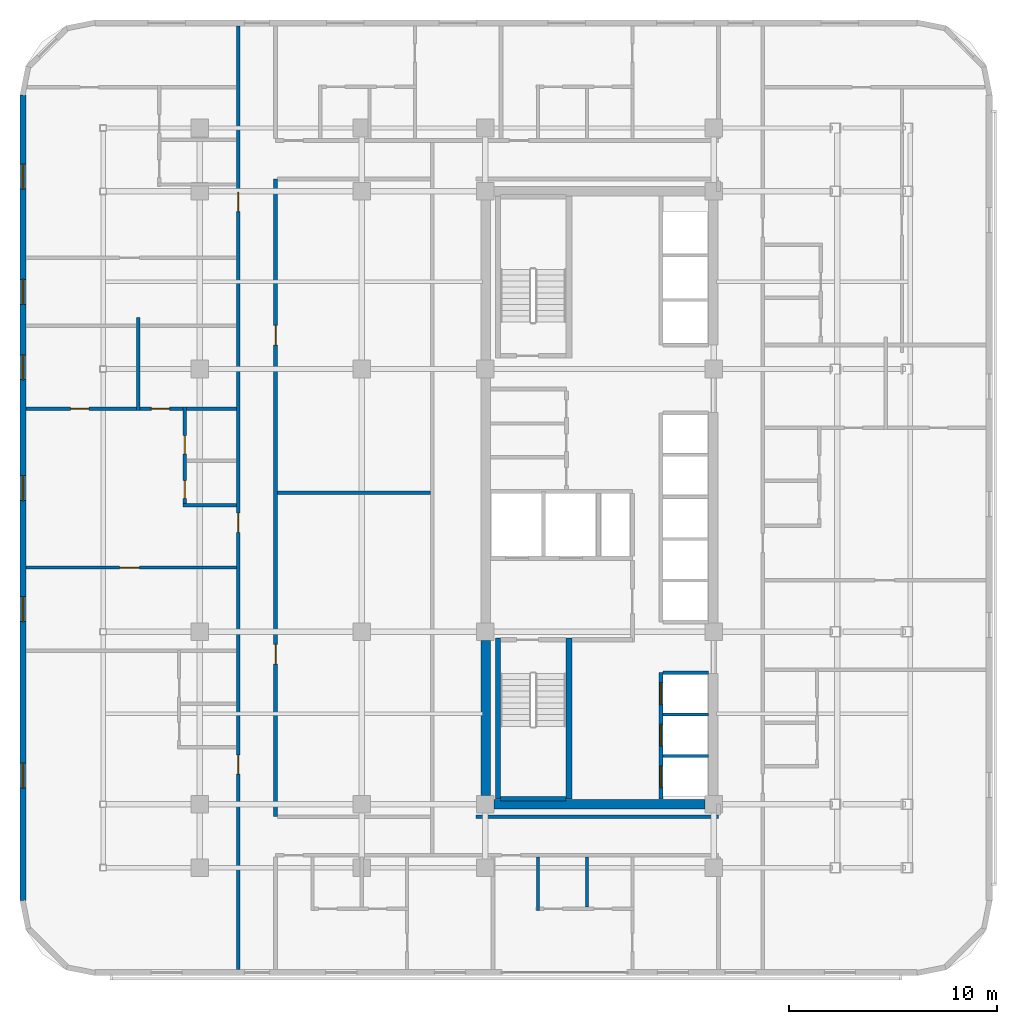
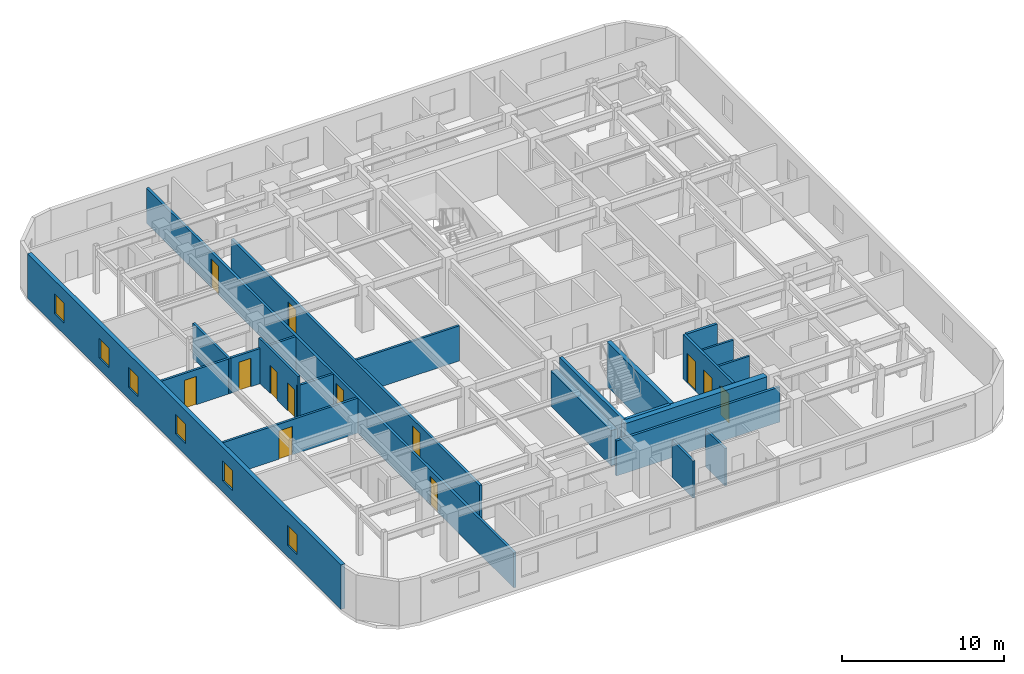
# One storey, part 7 of 15: 21 walls, 13 doors, 6 windows, 19 openings.
"""IFC4 building model written with IfcOpenShell, lengths in metres."""

from ifc_helpers import new_model, si_unit, direction, frame, frame_2d, origin, place, context, subcontext, project, spatial, rectangle, extrude, material, layer, layer_set, type_object, element, fill, save


model = new_model("IFC4")

# Units and contexts
model_context = context("Model", 3, precision=1e-05, world=origin(), true_north=direction((0.0, 1.0)))
body_context = subcontext(model_context, "Body", "Model", "MODEL_VIEW")
ifc_project = project(units=[si_unit("LENGTHUNIT", "METRE"), si_unit("AREAUNIT", "SQUARE_METRE"), si_unit("VOLUMEUNIT", "CUBIC_METRE"), si_unit("PLANEANGLEUNIT", "RADIAN"), si_unit("MASSUNIT", "GRAM", prefix="KILO")], contexts=[model_context])

# Site, building, storey
site_placement = place(None, origin())
site = spatial("IfcSite", under=ifc_project, at=site_placement, CompositionType="ELEMENT")
building_placement = place(site_placement, origin())
building = spatial("IfcBuilding", under=site, at=building_placement, Name="Ochreholt Gables", CompositionType="ELEMENT")
storey_placement = place(building_placement, frame((0.0, 0.0, 31.199951171875)))
storey = spatial("IfcBuildingStorey", under=building, at=storey_placement, Name="L07", CompositionType="ELEMENT", Elevation=31.199951171875)

# Walls
ifc_material_1 = material(Name="Concrete 60 MPa", Category="concrete")
ifc_layer_1 = layer(ifc_material_1, 0.449951171875, Name="Concrete 60 MPa")
ifc_layer_set_1 = layer_set([ifc_layer_1], Name="Concrete 60 MPa")
wall_type_1 = type_object("IfcWallType", Name="WALL-CSW-450", PredefinedType="SHEAR", material=ifc_layer_set_1)
wall_1_placement = place(storey_placement, frame((24.22509765625, 9.675048828125, 0.0), z_axis=(0.0, 0.0, 1.0), x_axis=(0.0, 1.0, 0.0)))
element("IfcWall", 1, at=wall_1_placement, inside=storey, type_object=wall_type_1, Name="L07 Core West Shear Wall WS", PredefinedType="SHEAR", context=body_context, shape_type="SweptSolid", body=[
    extrude(rectangle(XDim=7.449951171875, YDim=0.449951171875, at=frame_2d((3.72509765625, 0.0))), origin(), (0.0, 0.0, 1.0), 2.6669921875),
])
wall_2_placement = place(storey_placement, frame((24.625, 9.25, 0.0), z_axis=(0.0, 0.0, 1.0), x_axis=(1.0, 0.0, 0.0)))
element("IfcWall", 2, at=wall_2_placement, inside=storey, type_object=wall_type_1, Name="L07 Core South Shear Wall", PredefinedType="SHEAR", context=body_context, shape_type="SweptSolid", body=[
    extrude(rectangle(XDim=10.14990234375, YDim=0.449951171875, at=frame_2d((5.074951171875, 0.0))), origin(), (0.0, 0.0, 1.0), 3.360107421875),
])

# Wall, openings, windows
ifc_material_2 = material(Name="Precast concrete 40 MPa", Category="concrete")
ifc_layer_2 = layer(ifc_material_2, 0.2900390625, Name="Precast concrete 40 MPa")
ifc_layer_set_2 = layer_set([ifc_layer_2], Name="Precast concrete 40 MPa")
wall_type_2 = type_object("IfcWallType", Name="WALL-EXT-290", PredefinedType="SOLIDWALL", material=ifc_layer_set_2)
wall_3_placement = place(storey_placement, frame((1.945068359375, 43.3798828125, 0.0), z_axis=(0.0, 0.0, 1.0), x_axis=(0.0, -1.0, 0.0)))
wall_3 = element("IfcWall", 3, at=wall_3_placement, inside=storey, type_object=wall_type_2, Name="L07 West Exterior Wall", PredefinedType="SOLIDWALL", context=body_context, shape_type="SweptSolid", body=[
    extrude(rectangle(XDim=38.759765625, YDim=0.2900390625, at=frame_2d((19.3798828125, 0.0))), origin(), (0.0, 0.0, 1.0), 3.360107421875),
])
opening_1_placement = place(wall_3_placement, frame((32.14990234375, 0.0, 0.85009765625)))
opening_1 = element("IfcOpeningElement", 4, at=opening_1_placement, cuts=wall_3, Name="Opening WN-3", PredefinedType="OPENING", context=body_context, shape_type="SweptSolid", body=[
    extrude(rectangle(XDim=1.199951171875, YDim=1.5, at=frame_2d((0.60009765625, 0.75))), frame((0.0, 0.155029296875, 0.0), z_axis=(0.0, -1.0, 0.0), x_axis=(1.0, 0.0, 0.0)), (0.0, 0.0, 1.0), 0.31005859375),
])
opening_2_placement = place(wall_3_placement, frame((24.138427734375, 0.0, 0.85009765625)))
opening_2 = element("IfcOpeningElement", 5, at=opening_2_placement, cuts=wall_3, Name="Opening WN-3", PredefinedType="OPENING", context=body_context, shape_type="SweptSolid", body=[
    extrude(rectangle(XDim=1.199951171875, YDim=1.5, at=frame_2d((0.60009765625, 0.75))), frame((0.0, 0.155029296875, 0.0), z_axis=(0.0, -1.0, 0.0), x_axis=(1.0, 0.0, 0.0)), (0.0, 0.0, 1.0), 0.31005859375),
])
opening_3_placement = place(wall_3_placement, frame((18.313232421875, 0.0, 0.85009765625)))
opening_3 = element("IfcOpeningElement", 6, at=opening_3_placement, cuts=wall_3, Name="Opening WN-3", PredefinedType="OPENING", context=body_context, shape_type="SweptSolid", body=[
    extrude(rectangle(XDim=1.199951171875, YDim=1.5, at=frame_2d((0.60009765625, 0.75))), frame((0.0, 0.155029296875, 0.0), z_axis=(0.0, -1.0, 0.0), x_axis=(1.0, 0.0, 0.0)), (0.0, 0.0, 1.0), 0.31005859375),
])
opening_4_placement = place(wall_3_placement, frame((12.4951171875, 0.0, 0.85009765625)))
opening_4 = element("IfcOpeningElement", 7, at=opening_4_placement, cuts=wall_3, Name="Opening WN-3", PredefinedType="OPENING", context=body_context, shape_type="SweptSolid", body=[
    extrude(rectangle(XDim=1.199951171875, YDim=1.5, at=frame_2d((0.60009765625, 0.75))), frame((0.0, 0.155029296875, 0.0), z_axis=(0.0, -1.0, 0.0), x_axis=(1.0, 0.0, 0.0)), (0.0, 0.0, 1.0), 0.31005859375),
])
opening_5_placement = place(wall_3_placement, frame((8.864990234375, 0.0, 0.85009765625)))
opening_5 = element("IfcOpeningElement", 8, at=opening_5_placement, cuts=wall_3, Name="Opening WN-3", PredefinedType="OPENING", context=body_context, shape_type="SweptSolid", body=[
    extrude(rectangle(XDim=1.199951171875, YDim=1.5, at=frame_2d((0.60009765625, 0.75))), frame((0.0, 0.155029296875, 0.0), z_axis=(0.0, -1.0, 0.0), x_axis=(1.0, 0.0, 0.0)), (0.0, 0.0, 1.0), 0.31005859375),
])
opening_6_placement = place(wall_3_placement, frame((3.31494140625, 0.0, 0.85009765625)))
opening_6 = element("IfcOpeningElement", 9, at=opening_6_placement, cuts=wall_3, Name="Opening WN-3", PredefinedType="OPENING", context=body_context, shape_type="SweptSolid", body=[
    extrude(rectangle(XDim=1.199951171875, YDim=1.5, at=frame_2d((0.60009765625, 0.75))), frame((0.0, 0.155029296875, 0.0), z_axis=(0.0, -1.0, 0.0), x_axis=(1.0, 0.0, 0.0)), (0.0, 0.0, 1.0), 0.31005859375),
])
ifc_material_3 = material(Name="Triple-Glazed Thermally Broken Aluminium Window", Category="aluminium")
window_type = type_object("IfcWindowType", Name="WIN-RES-1200", PartitioningType="SINGLE_PANEL", PredefinedType="WINDOW", material=ifc_material_3)
window_1_placement = place(opening_1_placement, origin())
window_1 = element("IfcWindow", 10, at=window_1_placement, inside=storey, type_object=window_type, Name="L07 Window W-EXT-W-L07-1", OverallHeight=1.5, OverallWidth=1.199951171875, PartitioningType="SINGLE_PANEL", PredefinedType="WINDOW", context=body_context, shape_type="SweptSolid", body=[
    extrude(rectangle(XDim=1.199951171875, YDim=1.5, at=frame_2d((0.60009765625, 0.75))), frame((0.0, 0.030029296875, 0.0), z_axis=(0.0, -1.0, 0.0), x_axis=(1.0, 0.0, 0.0)), (0.0, 0.0, 1.0), 0.06005859375),
])
fill(opening_1, window_1)
window_2_placement = place(opening_2_placement, origin())
window_2 = element("IfcWindow", 11, at=window_2_placement, inside=storey, type_object=window_type, Name="L07 Window W-EXT-W-L07-2", OverallHeight=1.5, OverallWidth=1.199951171875, PartitioningType="SINGLE_PANEL", PredefinedType="WINDOW", context=body_context, shape_type="SweptSolid", body=[
    extrude(rectangle(XDim=1.199951171875, YDim=1.5, at=frame_2d((0.60009765625, 0.75))), frame((0.0, 0.030029296875, 0.0), z_axis=(0.0, -1.0, 0.0), x_axis=(1.0, 0.0, 0.0)), (0.0, 0.0, 1.0), 0.06005859375),
])
fill(opening_2, window_2)
window_3_placement = place(opening_3_placement, origin())
window_3 = element("IfcWindow", 12, at=window_3_placement, inside=storey, type_object=window_type, Name="L07 Window W-EXT-W-L07-3", OverallHeight=1.5, OverallWidth=1.199951171875, PartitioningType="SINGLE_PANEL", PredefinedType="WINDOW", context=body_context, shape_type="SweptSolid", body=[
    extrude(rectangle(XDim=1.199951171875, YDim=1.5, at=frame_2d((0.60009765625, 0.75))), frame((0.0, 0.030029296875, 0.0), z_axis=(0.0, -1.0, 0.0), x_axis=(1.0, 0.0, 0.0)), (0.0, 0.0, 1.0), 0.06005859375),
])
fill(opening_3, window_3)
window_4_placement = place(opening_4_placement, origin())
window_4 = element("IfcWindow", 13, at=window_4_placement, inside=storey, type_object=window_type, Name="L07 Window W-EXT-W-L07-4", OverallHeight=1.5, OverallWidth=1.199951171875, PartitioningType="SINGLE_PANEL", PredefinedType="WINDOW", context=body_context, shape_type="SweptSolid", body=[
    extrude(rectangle(XDim=1.199951171875, YDim=1.5, at=frame_2d((0.60009765625, 0.75))), frame((0.0, 0.030029296875, 0.0), z_axis=(0.0, -1.0, 0.0), x_axis=(1.0, 0.0, 0.0)), (0.0, 0.0, 1.0), 0.06005859375),
])
fill(opening_4, window_4)
window_5_placement = place(opening_5_placement, origin())
window_5 = element("IfcWindow", 14, at=window_5_placement, inside=storey, type_object=window_type, Name="L07 Window W-EXT-W-L07-5", OverallHeight=1.5, OverallWidth=1.199951171875, PartitioningType="SINGLE_PANEL", PredefinedType="WINDOW", context=body_context, shape_type="SweptSolid", body=[
    extrude(rectangle(XDim=1.199951171875, YDim=1.5, at=frame_2d((0.60009765625, 0.75))), frame((0.0, 0.030029296875, 0.0), z_axis=(0.0, -1.0, 0.0), x_axis=(1.0, 0.0, 0.0)), (0.0, 0.0, 1.0), 0.06005859375),
])
fill(opening_5, window_5)
window_6_placement = place(opening_6_placement, origin())
window_6 = element("IfcWindow", 15, at=window_6_placement, inside=storey, type_object=window_type, Name="L07 Window W-EXT-W-L07-6", OverallHeight=1.5, OverallWidth=1.199951171875, PartitioningType="SINGLE_PANEL", PredefinedType="WINDOW", context=body_context, shape_type="SweptSolid", body=[
    extrude(rectangle(XDim=1.199951171875, YDim=1.5, at=frame_2d((0.60009765625, 0.75))), frame((0.0, 0.030029296875, 0.0), z_axis=(0.0, -1.0, 0.0), x_axis=(1.0, 0.0, 0.0)), (0.0, 0.0, 1.0), 0.06005859375),
])
fill(opening_6, window_6)

# Wall
ifc_material_4 = material(Name="Fire-Rated Gypsum Acoustic Partition", Category="gypsum")
ifc_layer_3 = layer(ifc_material_4, 0.179931640625, Name="Fire-Rated Gypsum Acoustic Partition")
ifc_layer_set_3 = layer_set([ifc_layer_3], Name="Fire-Rated Gypsum Acoustic Partition")
wall_type_3 = type_object("IfcWallType", Name="WALL-INT-CR180", PredefinedType="STANDARD", material=ifc_layer_set_3)
wall_4_placement = place(storey_placement, frame((23.75, 8.64990234375, 0.0), z_axis=(0.0, 0.0, 1.0), x_axis=(1.0, 0.0, 0.0)))
element("IfcWall", 16, at=wall_4_placement, inside=storey, type_object=wall_type_3, Name="L07 Interior Wall WI-C1S2-L07", PredefinedType="STANDARD", context=body_context, shape_type="SweptSolid", body=[
    extrude(rectangle(XDim=11.669921875, YDim=0.179931640625, at=frame_2d((5.8349609375, 0.0))), origin(), (0.0, 0.0, 1.0), 2.649169921875),
])

# Wall, openings, doors
wall_5_placement = place(storey_placement, frame((12.300048828125, 1.2900390625, 0.0), z_axis=(0.0, 0.0, 1.0), x_axis=(0.0, 1.0, 0.0)))
wall_5 = element("IfcWall", 17, at=wall_5_placement, inside=storey, type_object=wall_type_3, Name="L07 Interior Wall WI-C1WW-L07", PredefinedType="STANDARD", context=body_context, shape_type="SweptSolid", body=[
    extrude(rectangle(XDim=45.419921875, YDim=0.179931640625, at=frame_2d((22.7099609375, 0.0))), origin(), (0.0, 0.0, 1.0), 2.649169921875),
])
opening_7_placement = place(wall_5_placement, frame((9.409912109375, 0.0, 0.0)))
opening_7 = element("IfcOpeningElement", 18, at=opening_7_placement, cuts=wall_5, Name="Opening D-UN1", PredefinedType="OPENING", context=body_context, shape_type="SweptSolid", body=[
    extrude(rectangle(XDim=0.919921875, YDim=2.14990234375, at=frame_2d((0.4599609375, 1.074951171875))), frame((0.0, 0.099853515625, 0.0), z_axis=(0.0, -1.0, 0.0), x_axis=(1.0, 0.0, 0.0)), (0.0, 0.0, 1.0), 0.199951171875),
])
opening_8_placement = place(wall_5_placement, frame((21.050048828125, 0.0, 0.0)))
opening_8 = element("IfcOpeningElement", 19, at=opening_8_placement, cuts=wall_5, Name="Opening D-UN1", PredefinedType="OPENING", context=body_context, shape_type="SweptSolid", body=[
    extrude(rectangle(XDim=0.919921875, YDim=2.14990234375, at=frame_2d((0.4599609375, 1.074951171875))), frame((0.0, 0.099853515625, 0.0), z_axis=(0.0, -1.0, 0.0), x_axis=(1.0, 0.0, 0.0)), (0.0, 0.0, 1.0), 0.199951171875),
])
opening_9_placement = place(wall_5_placement, frame((36.491455078125, 0.0, 0.0)))
opening_9 = element("IfcOpeningElement", 20, at=opening_9_placement, cuts=wall_5, Name="Opening D-UN1", PredefinedType="OPENING", context=body_context, shape_type="SweptSolid", body=[
    extrude(rectangle(XDim=0.919921875, YDim=2.14990234375, at=frame_2d((0.4599609375, 1.074951171875))), frame((0.0, 0.099853515625, 0.0), z_axis=(0.0, -1.0, 0.0), x_axis=(1.0, 0.0, 0.0)), (0.0, 0.0, 1.0), 0.199951171875),
])
ifc_material_5 = material(Name="Engineered Oak Timber", Category="wood")
door_type_1 = type_object("IfcDoorType", Name="DR-INT-UNT920", OperationType="NOTDEFINED", PredefinedType="DOOR", material=ifc_material_5)
door_1_placement = place(opening_7_placement, origin())
door_1 = element("IfcDoor", 21, at=door_1_placement, inside=storey, type_object=door_type_1, Name="L07 Door D-U-L07W1-ENT", OperationType="SINGLE_SWING_LEFT", OverallHeight=2.14990234375, OverallWidth=0.919921875, PredefinedType="DOOR", context=body_context, shape_type="SweptSolid", body=[
    extrude(rectangle(XDim=0.919921875, YDim=2.14990234375, at=frame_2d((0.4599609375, 1.074951171875))), frame((0.0, 0.02490234375, 0.0), z_axis=(0.0, -1.0, 0.0), x_axis=(1.0, 0.0, 0.0)), (0.0, 0.0, 1.0), 0.050048828125),
])
fill(opening_7, door_1)
door_2_placement = place(opening_8_placement, origin())
door_2 = element("IfcDoor", 22, at=door_2_placement, inside=storey, type_object=door_type_1, Name="L07 Door D-U-L07W2-ENT", OperationType="SINGLE_SWING_RIGHT", OverallHeight=2.14990234375, OverallWidth=0.919921875, PredefinedType="DOOR", context=body_context, shape_type="SweptSolid", body=[
    extrude(rectangle(XDim=0.919921875, YDim=2.14990234375, at=frame_2d((0.4599609375, 1.074951171875))), frame((0.0, 0.02490234375, 0.0), z_axis=(0.0, -1.0, 0.0), x_axis=(1.0, 0.0, 0.0)), (0.0, 0.0, 1.0), 0.050048828125),
])
fill(opening_8, door_2)
door_3_placement = place(opening_9_placement, origin())
door_3 = element("IfcDoor", 23, at=door_3_placement, inside=storey, type_object=door_type_1, Name="L07 Door D-U-L07W3-ENT", OperationType="SINGLE_SWING_LEFT", OverallHeight=2.14990234375, OverallWidth=0.919921875, PredefinedType="DOOR", context=body_context, shape_type="SweptSolid", body=[
    extrude(rectangle(XDim=0.919921875, YDim=2.14990234375, at=frame_2d((0.4599609375, 1.074951171875))), frame((0.0, 0.02490234375, 0.0), z_axis=(0.0, -1.0, 0.0), x_axis=(1.0, 0.0, 0.0)), (0.0, 0.0, 1.0), 0.050048828125),
])
fill(opening_9, door_3)

wall_6_placement = place(storey_placement, frame((14.10009765625, 8.64990234375, 0.0), z_axis=(0.0, 0.0, 1.0), x_axis=(0.0, 1.0, 0.0)))
wall_6 = element("IfcWall", 24, at=wall_6_placement, inside=storey, type_object=wall_type_3, Name="L07 Interior Wall WI-C1WE-L07", PredefinedType="STANDARD", context=body_context, shape_type="SweptSolid", body=[
    extrude(rectangle(XDim=30.7001953125, YDim=0.179931640625, at=frame_2d((15.35009765625, 0.0))), origin(), (0.0, 0.0, 1.0), 2.649169921875),
])
opening_10_placement = place(wall_6_placement, frame((7.35009765625, 0.0, 0.0)))
opening_10 = element("IfcOpeningElement", 25, at=opening_10_placement, cuts=wall_6, Name="Opening D-GN1", PredefinedType="OPENING", context=body_context, shape_type="SweptSolid", body=[
    extrude(rectangle(XDim=0.949951171875, YDim=2.14990234375, at=frame_2d((0.47509765625, 1.074951171875))), frame((0.0, 0.099853515625, 0.0), z_axis=(0.0, -1.0, 0.0), x_axis=(1.0, 0.0, 0.0)), (0.0, 0.0, 1.0), 0.199951171875),
])
opening_11_placement = place(wall_6_placement, frame((22.699951171875, 0.0, 0.0)))
opening_11 = element("IfcOpeningElement", 26, at=opening_11_placement, cuts=wall_6, Name="Opening D-GN1", PredefinedType="OPENING", context=body_context, shape_type="SweptSolid", body=[
    extrude(rectangle(XDim=0.949951171875, YDim=2.14990234375, at=frame_2d((0.47509765625, 1.074951171875))), frame((0.0, 0.099853515625, 0.0), z_axis=(0.0, -1.0, 0.0), x_axis=(1.0, 0.0, 0.0)), (0.0, 0.0, 1.0), 0.199951171875),
])
door_type_2 = type_object("IfcDoorType", Name="DR-INT-GEN950", OperationType="NOTDEFINED", PredefinedType="DOOR", material=ifc_material_5)
door_4_placement = place(opening_10_placement, origin())
door_4 = element("IfcDoor", 27, at=door_4_placement, inside=storey, type_object=door_type_2, Name="L07 Door D-C1IW1-L07", OperationType="SINGLE_SWING_LEFT", OverallHeight=2.14990234375, OverallWidth=0.949951171875, PredefinedType="DOOR", context=body_context, shape_type="SweptSolid", body=[
    extrude(rectangle(XDim=0.949951171875, YDim=2.14990234375, at=frame_2d((0.47509765625, 1.074951171875))), frame((0.0, 0.02490234375, 0.0), z_axis=(0.0, -1.0, 0.0), x_axis=(1.0, 0.0, 0.0)), (0.0, 0.0, 1.0), 0.050048828125),
])
fill(opening_10, door_4)
door_5_placement = place(opening_11_placement, origin())
door_5 = element("IfcDoor", 28, at=door_5_placement, inside=storey, type_object=door_type_2, Name="L07 Door D-C1IW2-L07", OperationType="SINGLE_SWING_RIGHT", OverallHeight=2.14990234375, OverallWidth=0.949951171875, PredefinedType="DOOR", context=body_context, shape_type="SweptSolid", body=[
    extrude(rectangle(XDim=0.949951171875, YDim=2.14990234375, at=frame_2d((0.47509765625, 1.074951171875))), frame((0.0, 0.02490234375, 0.0), z_axis=(0.0, -1.0, 0.0), x_axis=(1.0, 0.0, 0.0)), (0.0, 0.0, 1.0), 0.050048828125),
])
fill(opening_11, door_5)

# Wall
ifc_material_6 = material(Name="Moisture-Resistant Plumbing Chase Wall", Category="gypsum")
ifc_layer_4 = layer(ifc_material_6, 0.159912109375, Name="Moisture-Resistant Plumbing Chase Wall")
ifc_layer_set_4 = layer_set([ifc_layer_4], Name="Moisture-Resistant Plumbing Chase Wall")
wall_type_4 = type_object("IfcWallType", Name="WALL-INT-PL160", PredefinedType="PLUMBINGWALL", material=ifc_layer_set_4)
wall_7_placement = place(storey_placement, frame((9.64990234375, 23.639892578125, 0.0), z_axis=(0.0, 0.0, 1.0), x_axis=(1.0, 0.0, 0.0)))
element("IfcWall", 29, at=wall_7_placement, inside=storey, type_object=wall_type_4, Name="L07 Interior Wall WU-L07W2-FYS", PredefinedType="PLUMBINGWALL", context=body_context, shape_type="SweptSolid", body=[
    extrude(rectangle(XDim=2.56005859375, YDim=0.159912109375, at=frame_2d((1.280029296875, 0.0))), origin(), (0.0, 0.0, 1.0), 2.649169921875),
])

# Wall, openings, doors
wall_8_placement = place(storey_placement, frame((9.72998046875, 23.550048828125, 0.0), z_axis=(0.0, 0.0, 1.0), x_axis=(0.0, 1.0, 0.0)))
wall_8 = element("IfcWall", 30, at=wall_8_placement, inside=storey, type_object=wall_type_4, Name="L07 Interior Wall WU-L07W2-WX", PredefinedType="PLUMBINGWALL", context=body_context, shape_type="SweptSolid", body=[
    extrude(rectangle(XDim=4.829833984375, YDim=0.159912109375, at=frame_2d((2.4150390625, 0.0))), origin(), (0.0, 0.0, 1.0), 3.360107421875),
])
opening_12_placement = place(wall_8_placement, frame((0.419921875, 0.0, 0.0)))
opening_12 = element("IfcOpeningElement", 31, at=opening_12_placement, cuts=wall_8, Name="Opening D-BT1", PredefinedType="OPENING", context=body_context, shape_type="SweptSolid", body=[
    extrude(rectangle(XDim=0.860107421875, YDim=2.1201171875, at=frame_2d((0.43017578125, 1.06005859375))), frame((0.0, 0.08984375, 0.0), z_axis=(0.0, -1.0, 0.0), x_axis=(1.0, 0.0, 0.0)), (0.0, 0.0, 1.0), 0.179931640625),
])
opening_13_placement = place(wall_8_placement, frame((2.55908203125, 0.0, 0.0)))
opening_13 = element("IfcOpeningElement", 32, at=opening_13_placement, cuts=wall_8, Name="Opening D-GN2", PredefinedType="OPENING", context=body_context, shape_type="SweptSolid", body=[
    extrude(rectangle(XDim=0.8798828125, YDim=2.1201171875, at=frame_2d((0.43994140625, 1.06005859375))), frame((0.0, 0.08984375, 0.0), z_axis=(0.0, -1.0, 0.0), x_axis=(1.0, 0.0, 0.0)), (0.0, 0.0, 1.0), 0.179931640625),
])
door_type_3 = type_object("IfcDoorType", Name="DR-INT-BTH860", OperationType="NOTDEFINED", PredefinedType="DOOR", material=ifc_material_5)
door_6_placement = place(opening_12_placement, origin())
door_6 = element("IfcDoor", 33, at=door_6_placement, inside=storey, type_object=door_type_3, Name="L07 Door D-U-L07W2-BTH", OperationType="SINGLE_SWING_LEFT", OverallHeight=2.1201171875, OverallWidth=0.860107421875, PredefinedType="DOOR", context=body_context, shape_type="SweptSolid", body=[
    extrude(rectangle(XDim=0.860107421875, YDim=2.1201171875, at=frame_2d((0.43017578125, 1.06005859375))), frame((0.0, 0.02490234375, 0.0), z_axis=(0.0, -1.0, 0.0), x_axis=(1.0, 0.0, 0.0)), (0.0, 0.0, 1.0), 0.050048828125),
])
fill(opening_12, door_6)
door_type_4 = type_object("IfcDoorType", Name="DR-INT-GEN880", OperationType="NOTDEFINED", PredefinedType="DOOR", material=ifc_material_5)
door_7_placement = place(opening_13_placement, origin())
door_7 = element("IfcDoor", 34, at=door_7_placement, inside=storey, type_object=door_type_4, Name="L07 Door D-U-L07W2-KIT", OperationType="SINGLE_SWING_RIGHT", OverallHeight=2.1201171875, OverallWidth=0.8798828125, PredefinedType="DOOR", context=body_context, shape_type="SweptSolid", body=[
    extrude(rectangle(XDim=0.8798828125, YDim=2.1201171875, at=frame_2d((0.43994140625, 1.06005859375))), frame((0.0, 0.02490234375, 0.0), z_axis=(0.0, -1.0, 0.0), x_axis=(1.0, 0.0, 0.0)), (0.0, 0.0, 1.0), 0.050048828125),
])
fill(opening_13, door_7)

# Walls
wall_9_placement = place(storey_placement, frame((26.72998046875, 4.132568359375, 0.0), z_axis=(0.0, 0.0, 1.0), x_axis=(0.0, 1.0, 0.0)))
element("IfcWall", 35, at=wall_9_placement, inside=storey, type_object=wall_type_4, Name="L07 Interior Wall WU-L07S2-FY", PredefinedType="PLUMBINGWALL", context=body_context, shape_type="SweptSolid", body=[
    extrude(rectangle(XDim=2.577392578125, YDim=0.159912109375, at=frame_2d((1.28857421875, 0.0))), origin(), (0.0, 0.0, 1.0), 2.80908203125),
])
wall_10_placement = place(storey_placement, frame((29.095947265625, 4.29248046875, 0.0), z_axis=(0.0, 0.0, 1.0), x_axis=(0.0, 1.0, 0.0)))
element("IfcWall", 36, at=wall_10_placement, inside=storey, type_object=wall_type_4, Name="L07 Interior Wall WU-L07S2-WK", PredefinedType="PLUMBINGWALL", context=body_context, shape_type="SweptSolid", body=[
    extrude(rectangle(XDim=2.41748046875, YDim=0.159912109375, at=frame_2d((1.208740234375, 0.0))), origin(), (0.0, 0.0, 1.0), 2.80908203125),
])

# Wall, openings, doors
ifc_material_7 = material(Name="Gypsum Acoustic Stud Partition", Category="gypsum")
ifc_layer_5 = layer(ifc_material_7, 0.159912109375, Name="Gypsum Acoustic Stud Partition")
ifc_layer_set_5 = layer_set([ifc_layer_5], Name="Gypsum Acoustic Stud Partition")
wall_type_5 = type_object("IfcWallType", Name="WALL-INT-PT160", PredefinedType="PARTITIONING", material=ifc_layer_set_5)
wall_11_placement = place(storey_placement, frame((2.090087890625, 28.2900390625, 0.0), z_axis=(0.0, 0.0, 1.0), x_axis=(1.0, 0.0, 0.0)))
wall_11 = element("IfcWall", 37, at=wall_11_placement, inside=storey, type_object=wall_type_5, Name="L07 Interior Wall WU-L07W2-MN", PredefinedType="PARTITIONING", context=body_context, shape_type="SweptSolid", body=[
    extrude(rectangle(XDim=10.119873046875, YDim=0.159912109375, at=frame_2d((5.06005859375, 0.0))), origin(), (0.0, 0.0, 1.0), 2.649169921875),
])
opening_14_placement = place(wall_11_placement, frame((2.145263671875, 0.0, 0.0)))
opening_14 = element("IfcOpeningElement", 38, at=opening_14_placement, cuts=wall_11, Name="Opening D-BD2", PredefinedType="OPENING", context=body_context, shape_type="SweptSolid", body=[
    extrude(rectangle(XDim=0.8798828125, YDim=2.139892578125, at=frame_2d((0.43994140625, 1.06982421875))), frame((0.0, 0.08984375, 0.0), z_axis=(0.0, -1.0, 0.0), x_axis=(1.0, 0.0, 0.0)), (0.0, 0.0, 1.0), 0.179931640625),
])
opening_15_placement = place(wall_11_placement, frame((6.03515625, 0.0, 0.0)))
opening_15 = element("IfcOpeningElement", 39, at=opening_15_placement, cuts=wall_11, Name="Opening D-BD2", PredefinedType="OPENING", context=body_context, shape_type="SweptSolid", body=[
    extrude(rectangle(XDim=0.8798828125, YDim=2.139892578125, at=frame_2d((0.43994140625, 1.06982421875))), frame((0.0, 0.08984375, 0.0), z_axis=(0.0, -1.0, 0.0), x_axis=(1.0, 0.0, 0.0)), (0.0, 0.0, 1.0), 0.179931640625),
])
door_type_5 = type_object("IfcDoorType", Name="DR-INT-BED880", OperationType="NOTDEFINED", PredefinedType="DOOR", material=ifc_material_5)
door_8_placement = place(opening_14_placement, origin())
door_8 = element("IfcDoor", 40, at=door_8_placement, inside=storey, type_object=door_type_5, Name="L07 Door D-U-L07W2-BD1", OperationType="SINGLE_SWING_RIGHT", OverallHeight=2.139892578125, OverallWidth=0.8798828125, PredefinedType="DOOR", context=body_context, shape_type="SweptSolid", body=[
    extrude(rectangle(XDim=0.8798828125, YDim=2.139892578125, at=frame_2d((0.43994140625, 1.06982421875))), frame((0.0, 0.02490234375, 0.0), z_axis=(0.0, -1.0, 0.0), x_axis=(1.0, 0.0, 0.0)), (0.0, 0.0, 1.0), 0.050048828125),
])
fill(opening_14, door_8)
door_9_placement = place(opening_15_placement, origin())
door_9 = element("IfcDoor", 41, at=door_9_placement, inside=storey, type_object=door_type_5, Name="L07 Door D-U-L07W2-BD2", OperationType="SINGLE_SWING_LEFT", OverallHeight=2.139892578125, OverallWidth=0.8798828125, PredefinedType="DOOR", context=body_context, shape_type="SweptSolid", body=[
    extrude(rectangle(XDim=0.8798828125, YDim=2.139892578125, at=frame_2d((0.43994140625, 1.06982421875))), frame((0.0, 0.02490234375, 0.0), z_axis=(0.0, -1.0, 0.0), x_axis=(1.0, 0.0, 0.0)), (0.0, 0.0, 1.0), 0.050048828125),
])
fill(opening_15, door_9)

# Wall, opening, door
wall_12_placement = place(storey_placement, frame((2.090087890625, 20.643310546875, 0.0), z_axis=(0.0, 0.0, 1.0), x_axis=(1.0, 0.0, 0.0)))
wall_12 = element("IfcWall", 42, at=wall_12_placement, inside=storey, type_object=wall_type_5, Name="L07 Interior Wall WU-L07W2-DNW", PredefinedType="PARTITIONING", context=body_context, shape_type="SweptSolid", body=[
    extrude(rectangle(XDim=10.119873046875, YDim=0.159912109375, at=frame_2d((5.06005859375, 0.0))), origin(), (0.0, 0.0, 1.0), 2.649169921875),
])
opening_16_placement = place(wall_12_placement, frame((4.510009765625, 0.0, 0.0)))
opening_16 = element("IfcOpeningElement", 43, at=opening_16_placement, cuts=wall_12, Name="Opening D-GN1", PredefinedType="OPENING", context=body_context, shape_type="SweptSolid", body=[
    extrude(rectangle(XDim=0.949951171875, YDim=2.14990234375, at=frame_2d((0.47509765625, 1.074951171875))), frame((0.0, 0.08984375, 0.0), z_axis=(0.0, -1.0, 0.0), x_axis=(1.0, 0.0, 0.0)), (0.0, 0.0, 1.0), 0.179931640625),
])
door_10_placement = place(opening_16_placement, origin())
door_10 = element("IfcDoor", 44, at=door_10_placement, inside=storey, type_object=door_type_2, Name="L07 Door D-U-L07W2-DIN", OperationType="SINGLE_SWING_LEFT", OverallHeight=2.14990234375, OverallWidth=0.949951171875, PredefinedType="DOOR", context=body_context, shape_type="SweptSolid", body=[
    extrude(rectangle(XDim=0.949951171875, YDim=2.14990234375, at=frame_2d((0.47509765625, 1.074951171875))), frame((0.0, 0.02490234375, 0.0), z_axis=(0.0, -1.0, 0.0), x_axis=(1.0, 0.0, 0.0)), (0.0, 0.0, 1.0), 0.050048828125),
])
fill(opening_16, door_10)

# Walls
wall_13_placement = place(storey_placement, frame((7.490478515625, 28.2099609375, 0.0), z_axis=(0.0, 0.0, 1.0), x_axis=(0.0, 1.0, 0.0)))
element("IfcWall", 45, at=wall_13_placement, inside=storey, type_object=wall_type_5, Name="L07 Interior Wall WU-L07W2-BSD", PredefinedType="PARTITIONING", context=body_context, shape_type="SweptSolid", body=[
    extrude(rectangle(XDim=4.4599609375, YDim=0.159912109375, at=frame_2d((2.22998046875, 0.0))), origin(), (0.0, 0.0, 1.0), 2.649169921875),
])
wall_14_placement = place(storey_placement, frame((14.18994140625, 24.25, 0.0), z_axis=(0.0, 0.0, 1.0), x_axis=(1.0, 0.0, 0.0)))
element("IfcWall", 46, at=wall_14_placement, inside=storey, type_object=wall_type_5, Name="L07 Interior Wall WI-UDWI1-L07", PredefinedType="PARTITIONING", context=body_context, shape_type="SweptSolid", body=[
    extrude(rectangle(XDim=7.3701171875, YDim=0.159912109375, at=frame_2d((3.68505859375, 0.0))), origin(), (0.0, 0.0, 1.0), 2.649169921875),
])
ifc_material_8 = material(Name="Gypsum Shaftliner and Steel Stud", Category="steel")
ifc_layer_6 = layer(ifc_material_8, 0.14990234375, Name="Gypsum Shaftliner and Steel Stud")
ifc_layer_set_6 = layer_set([ifc_layer_6], Name="Gypsum Shaftliner and Steel Stud")
wall_type_6 = type_object("IfcWallType", Name="WALL-INT-SH150", PredefinedType="STANDARD", material=ifc_layer_set_6)
for number, where, z_axis, x_axis, name in (
    (47, (32.739990234375, 11.570068359375, 0.0), (0.0, 0.0, 1.0), (1.0, 0.0, 0.0), "L07 Interior Wall WI-LFL-D1-L07"),
    (48, (32.739990234375, 13.570068359375, 0.0), (0.0, 0.0, 1.0), (1.0, 0.0, 0.0), "L07 Interior Wall WI-LFL-D2-L07"),
):
    element("IfcWall", number, at=place(storey_placement, frame(where, z_axis=z_axis, x_axis=x_axis)), inside=storey, type_object=wall_type_6, Name=name, PredefinedType="STANDARD", context=body_context, shape_type="SweptSolid", body=[
        extrude(rectangle(XDim=2.2099609375, YDim=0.14990234375, at=frame_2d((1.10498046875, 0.0))), origin(), (0.0, 0.0, 1.0), 3.360107421875),
    ])

# Wall, openings, doors
ifc_layer_7 = layer(ifc_material_8, 0.179931640625, Name="Gypsum Shaftliner and Steel Stud")
ifc_layer_set_7 = layer_set([ifc_layer_7], Name="Gypsum Shaftliner and Steel Stud")
wall_type_7 = type_object("IfcWallType", Name="WALL-INT-SH180", PredefinedType="STANDARD", material=ifc_layer_set_7)
wall_15_placement = place(storey_placement, frame((32.64990234375, 9.5, 0.0), z_axis=(0.0, 0.0, 1.0), x_axis=(0.0, 1.0, 0.0)))
wall_15 = element("IfcWall", 49, at=wall_15_placement, inside=storey, type_object=wall_type_7, Name="L07 Interior Wall WI-LFL-FR-L07", PredefinedType="STANDARD", context=body_context, shape_type="SweptSolid", body=[
    extrude(rectangle(XDim=6.080078125, YDim=0.179931640625, at=frame_2d((3.0400390625, 0.0))), origin(), (0.0, 0.0, 1.0), 3.360107421875),
])
opening_17_placement = place(wall_15_placement, frame((0.550048828125, 0.0, 0.0)))
opening_17 = element("IfcOpeningElement", 50, at=opening_17_placement, cuts=wall_15, Name="Opening LD-PX", PredefinedType="OPENING", context=body_context, shape_type="SweptSolid", body=[
    extrude(rectangle(XDim=1.050048828125, YDim=2.199951171875, at=frame_2d((0.52490234375, 1.10009765625))), frame((0.0, 0.099853515625, 0.0), z_axis=(0.0, -1.0, 0.0), x_axis=(1.0, 0.0, 0.0)), (0.0, 0.0, 1.0), 0.199951171875),
])
opening_18_placement = place(wall_15_placement, frame((2.550048828125, 0.0, 0.0)))
opening_18 = element("IfcOpeningElement", 51, at=opening_18_placement, cuts=wall_15, Name="Opening LD-PX", PredefinedType="OPENING", context=body_context, shape_type="SweptSolid", body=[
    extrude(rectangle(XDim=1.050048828125, YDim=2.199951171875, at=frame_2d((0.52490234375, 1.10009765625))), frame((0.0, 0.099853515625, 0.0), z_axis=(0.0, -1.0, 0.0), x_axis=(1.0, 0.0, 0.0)), (0.0, 0.0, 1.0), 0.199951171875),
])
opening_19_placement = place(wall_15_placement, frame((4.550048828125, 0.0, 0.0)))
opening_19 = element("IfcOpeningElement", 52, at=opening_19_placement, cuts=wall_15, Name="Opening LD-PX", PredefinedType="OPENING", context=body_context, shape_type="SweptSolid", body=[
    extrude(rectangle(XDim=1.050048828125, YDim=2.199951171875, at=frame_2d((0.52490234375, 1.10009765625))), frame((0.0, 0.099853515625, 0.0), z_axis=(0.0, -1.0, 0.0), x_axis=(1.0, 0.0, 0.0)), (0.0, 0.0, 1.0), 0.199951171875),
])
ifc_material_9 = material(Name="Stainless Steel", Category="steel")
door_type_6 = type_object("IfcDoorType", Name="DR-LFT-PX1050", OperationType="NOTDEFINED", PredefinedType="DOOR", material=ifc_material_9)
door_11_placement = place(opening_17_placement, origin())
door_11 = element("IfcDoor", 53, at=door_11_placement, inside=storey, type_object=door_type_6, Name="L07 Door LD-L1-L07", OperationType="SLIDING_TO_LEFT", OverallHeight=2.199951171875, OverallWidth=1.050048828125, PredefinedType="DOOR", context=body_context, shape_type="SweptSolid", body=[
    extrude(rectangle(XDim=1.050048828125, YDim=2.199951171875, at=frame_2d((0.52490234375, 1.10009765625))), frame((0.0, 0.02490234375, 0.0), z_axis=(0.0, -1.0, 0.0), x_axis=(1.0, 0.0, 0.0)), (0.0, 0.0, 1.0), 0.050048828125),
])
fill(opening_17, door_11)
door_12_placement = place(opening_18_placement, origin())
door_12 = element("IfcDoor", 54, at=door_12_placement, inside=storey, type_object=door_type_6, Name="L07 Door LD-L2-L07", OperationType="SLIDING_TO_LEFT", OverallHeight=2.199951171875, OverallWidth=1.050048828125, PredefinedType="DOOR", context=body_context, shape_type="SweptSolid", body=[
    extrude(rectangle(XDim=1.050048828125, YDim=2.199951171875, at=frame_2d((0.52490234375, 1.10009765625))), frame((0.0, 0.02490234375, 0.0), z_axis=(0.0, -1.0, 0.0), x_axis=(1.0, 0.0, 0.0)), (0.0, 0.0, 1.0), 0.050048828125),
])
fill(opening_18, door_12)
door_13_placement = place(opening_19_placement, origin())
door_13 = element("IfcDoor", 55, at=door_13_placement, inside=storey, type_object=door_type_6, Name="L07 Door LD-L3-L07", OperationType="SLIDING_TO_LEFT", OverallHeight=2.199951171875, OverallWidth=1.050048828125, PredefinedType="DOOR", context=body_context, shape_type="SweptSolid", body=[
    extrude(rectangle(XDim=1.050048828125, YDim=2.199951171875, at=frame_2d((0.52490234375, 1.10009765625))), frame((0.0, 0.02490234375, 0.0), z_axis=(0.0, -1.0, 0.0), x_axis=(1.0, 0.0, 0.0)), (0.0, 0.0, 1.0), 0.050048828125),
])
fill(opening_19, door_13)

# Walls
wall_16_placement = place(storey_placement, frame((32.739990234375, 15.580078125, 0.0), z_axis=(0.0, 0.0, 1.0), x_axis=(1.0, 0.0, 0.0)))
element("IfcWall", 56, at=wall_16_placement, inside=storey, type_object=wall_type_7, Name="L07 Interior Wall WI-LFL-N-L07", PredefinedType="STANDARD", context=body_context, shape_type="SweptSolid", body=[
    extrude(rectangle(XDim=2.2099609375, YDim=0.179931640625, at=frame_2d((1.10498046875, 0.0))), origin(), (0.0, 0.0, 1.0), 3.360107421875),
])
ifc_layer_8 = layer(ifc_material_1, 0.300048828125, Name="Concrete 60 MPa")
ifc_layer_set_8 = layer_set([ifc_layer_8], Name="Concrete 60 MPa")
wall_type_8 = type_object("IfcWallType", Name="WALL-SPN-300", PredefinedType="SHEAR", material=ifc_layer_set_8)
wall_17_placement = place(storey_placement, frame((28.22998046875, 9.5, 0.0), z_axis=(0.0, 0.0, 1.0), x_axis=(0.0, 1.0, 0.0)))
element("IfcWall", 57, at=wall_17_placement, inside=storey, type_object=wall_type_8, Name="L07 Core South Spine Shear Wall", PredefinedType="SHEAR", context=body_context, shape_type="SweptSolid", body=[
    extrude(rectangle(XDim=7.760009765625, YDim=0.300048828125, at=frame_2d((3.8798828125, 0.0))), origin(), (0.0, 0.0, 1.0), 3.360107421875),
])
ifc_material_10 = material(Name="Concrete 50 MPa", Category="concrete")
ifc_layer_9 = layer(ifc_material_10, 0.219970703125, Name="Concrete 50 MPa")
ifc_layer_set_9 = layer_set([ifc_layer_9], Name="Concrete 50 MPa")
wall_type_9 = type_object("IfcWallType", Name="WALL-STW-220", PredefinedType="SHEAR", material=ifc_layer_set_9)
wall_18_placement = place(storey_placement, frame((24.81005859375, 9.5, 0.0), z_axis=(0.0, 0.0, 1.0), x_axis=(0.0, 1.0, 0.0)))
element("IfcWall", 58, at=wall_18_placement, inside=storey, type_object=wall_type_9, Name="L07 Exit Stair 1 West Wall", PredefinedType="SHEAR", context=body_context, shape_type="SweptSolid", body=[
    extrude(rectangle(XDim=7.760009765625, YDim=0.219970703125, at=frame_2d((3.8798828125, 0.0))), origin(), (0.0, 0.0, 1.0), 3.360107421875),
])
wall_19_placement = place(storey_placement, frame((24.919921875, 9.510009765625, 0.0), z_axis=(0.0, 0.0, 1.0), x_axis=(1.0, 0.0, 0.0)))
element("IfcWall", 59, at=wall_19_placement, inside=storey, type_object=wall_type_9, Name="L07 Exit Stair 1 South Wall", PredefinedType="SHEAR", context=body_context, shape_type="SweptSolid", body=[
    extrude(rectangle(XDim=3.16015625, YDim=0.219970703125, at=frame_2d((1.580078125, 0.0))), origin(), (0.0, 0.0, 1.0), 3.360107421875),
])

save(model, "model.ifc")
